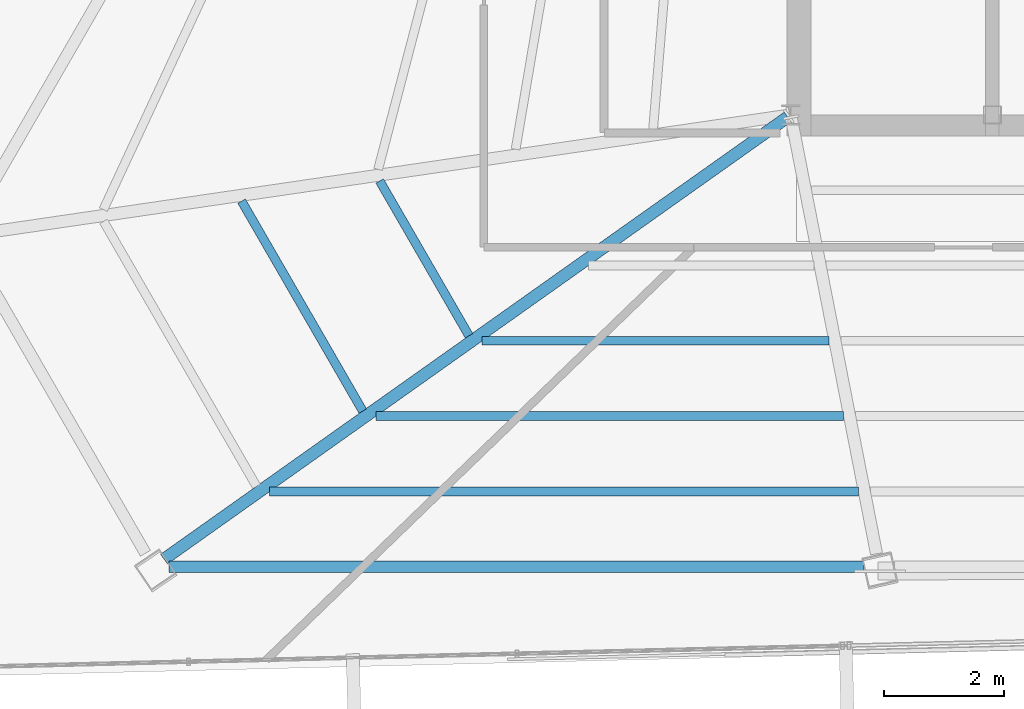
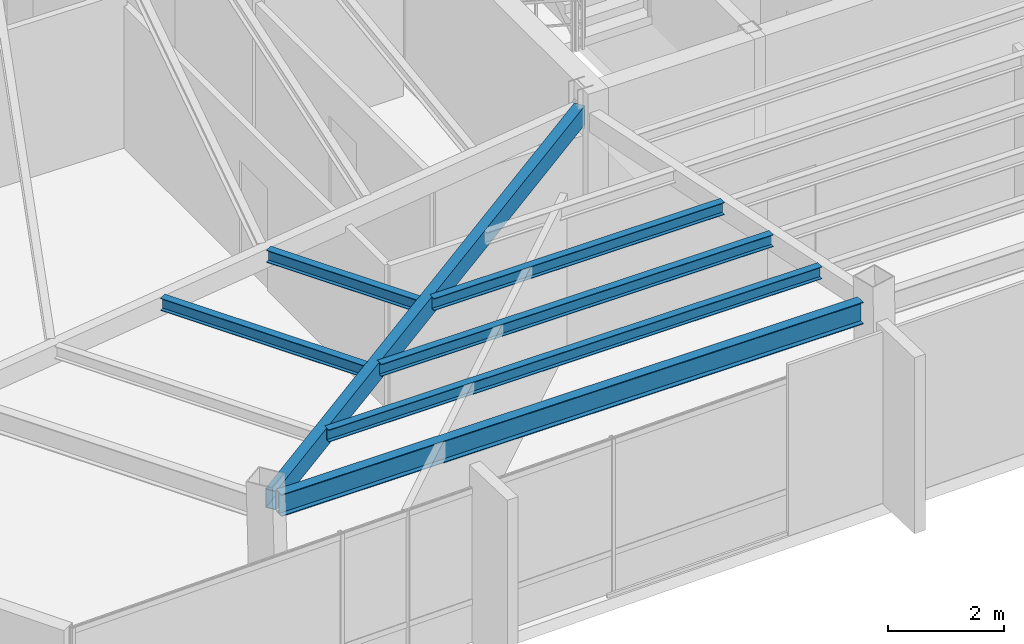
# One storey, part 6 of 44: 7 beams.
"""IFC4 building model written with IfcOpenShell, lengths in metres."""

from ifc_helpers import new_model, si_unit, direction, frame, origin, origin_2d, place, context, subcontext, project, spatial, hollow_rectangle, i_section, extrude, source, transform, mapped, material, material_profile, profile_set, type_object, type_shapes, element, save


model = new_model("IFC4")

# Units and contexts
model_context = context("Model", 3, precision=1e-05, world=origin(), true_north=direction((0.0, 1.0)))
body_context = subcontext(model_context, "Body", "Model", "MODEL_VIEW")
ifc_project = project(units=[si_unit("LENGTHUNIT", "METRE"), si_unit("AREAUNIT", "SQUARE_METRE"), si_unit("VOLUMEUNIT", "CUBIC_METRE"), si_unit("PLANEANGLEUNIT", "RADIAN"), si_unit("MASSUNIT", "GRAM", prefix="KILO")], contexts=[model_context])

# Site, building, storey
site_placement = place(None, origin())
site = spatial("IfcSite", under=ifc_project, at=site_placement, CompositionType="ELEMENT")
building_placement = place(site_placement, origin())
building = spatial("IfcBuilding", under=site, at=building_placement, Name="Caelisora Broadcast Tower", CompositionType="ELEMENT")
storey_placement = place(building_placement, frame((0.0, 0.0, 280.949951171875)))
storey = spatial("IfcBuildingStorey", under=building, at=storey_placement, Name="L74", CompositionType="ELEMENT", Elevation=280.949951171875)

# Beams
ifc_material_1 = material(Name="Steel Grade 350 (AS/NZS 3679.1)", Category="steel")
ifc_material_profile_1 = material_profile(ifc_material_1, i_section(OverallWidth=0.19091796875, OverallDepth=0.46044921875, WebThickness=0.010009765625, FlangeThickness=0.01611328125, at=origin_2d()), Name="Steel Grade 350 (AS/NZS 3679.1)")
ifc_profile_set_1 = profile_set([ifc_material_profile_1], Name="Steel Grade 350 (AS/NZS 3679.1)")
beam_type_1 = type_object("IfcBeamType", Name="PG06", PredefinedType="BEAM", material=ifc_profile_set_1)
shared_shape_1 = source(origin(), body_context, "Body", "SweptSolid", [
    extrude(i_section(OverallWidth=0.19091796875, OverallDepth=0.46044921875, WebThickness=0.010009765625, FlangeThickness=0.01611328125, at=origin_2d()), origin(), (0.0, 0.0, 1.0), 11.542236328125),
])
type_shapes(beam_type_1, [shared_shape_1])
beam_1_placement = place(storey_placement, frame((20.16650390625, 9.890380859375, 3.019775390625), z_axis=(1.0, 0.0, 0.0), x_axis=(0.0, 1.0, 0.0)))
element("IfcBeam", 1, at=beam_1_placement, inside=storey, type_object=beam_type_1, Name="L74 beam PG06", PredefinedType="BEAM", context=body_context, shape_type="MappedRepresentation", body=[
    mapped(shared_shape_1, transform((0.0, 0.0, 0.0), scale=1.0)),
])
ifc_material_2 = material(Name="Steel Grade 350 (AS/NZS 1163 C350L0)", Category="steel")
ifc_material_profile_2 = material_profile(ifc_material_2, hollow_rectangle(XDim=0.199951171875, YDim=0.39990234375, WallThickness=0.012451171875, at=origin_2d()), Name="Steel Grade 350 (AS/NZS 1163 C350L0)")
ifc_profile_set_2 = profile_set([ifc_material_profile_2], Name="Steel Grade 350 (AS/NZS 1163 C350L0)")
beam_type_2 = type_object("IfcBeamType", Name="PG07", PredefinedType="BEAM", material=ifc_profile_set_2)
shared_shape_2 = source(origin(), body_context, "Body", "SweptSolid", [
    extrude(hollow_rectangle(XDim=0.199951171875, YDim=0.39990234375, WallThickness=0.012451171875, at=origin_2d()), origin(), (0.0, 0.0, 1.0), 12.705322265625),
])
type_shapes(beam_type_2, [shared_shape_2])
beam_2_placement = place(storey_placement, frame((30.451171875, 17.365234375, 3.050048828125), z_axis=(-0.815815966936, -0.578311601208, 0.0), x_axis=(0.578311601208, -0.815815966936, 0.0)))
element("IfcBeam", 2, at=beam_2_placement, inside=storey, type_object=beam_type_2, Name="L74 beam PG07", PredefinedType="BEAM", context=body_context, shape_type="MappedRepresentation", body=[
    mapped(shared_shape_2, transform((0.0, 0.0, 0.0), scale=1.0)),
])
ifc_material_profile_3 = material_profile(ifc_material_1, i_section(OverallWidth=0.14599609375, OverallDepth=0.256103515625, WebThickness=0.00634765625, FlangeThickness=0.010986328125, at=origin_2d()), Name="Steel Grade 350 (AS/NZS 3679.1)")
ifc_profile_set_3 = profile_set([ifc_material_profile_3], Name="Steel Grade 350 (AS/NZS 3679.1)")
beam_type_3 = type_object("IfcBeamType", Name="SB04", PredefinedType="JOIST", material=ifc_profile_set_3)
shared_shape_3 = source(origin(), body_context, "Body", "SweptSolid", [
    extrude(i_section(OverallWidth=0.14599609375, OverallDepth=0.256103515625, WebThickness=0.00634765625, FlangeThickness=0.010986328125, at=origin_2d()), origin(), (0.0, 0.0, 1.0), 2.970458984375),
])
beam_3_placement = place(storey_placement, frame((23.669189453125, 16.302001953125, 3.1220703125), z_axis=(0.500028367561, -0.866009025146, 0.0), x_axis=(0.866009025146, 0.500028367561, 0.0)))
element("IfcBeam", 3, at=beam_3_placement, inside=storey, type_object=beam_type_3, Name="L74 beam SB04", PredefinedType="JOIST", context=body_context, shape_type="MappedRepresentation", body=[
    mapped(shared_shape_3, transform((0.0, 0.0, 0.0), scale=1.0)),
])
shared_shape_4 = source(origin(), body_context, "Body", "SweptSolid", [
    extrude(i_section(OverallWidth=0.14599609375, OverallDepth=0.256103515625, WebThickness=0.00634765625, FlangeThickness=0.010986328125, at=origin_2d()), origin(), (0.0, 0.0, 1.0), 4.02783203125),
])
beam_4_placement = place(storey_placement, frame((21.375, 15.96630859375, 3.1220703125), z_axis=(0.499991787927, -0.866030144975, 0.0), x_axis=(0.866030144975, 0.499991787927, 0.0)))
element("IfcBeam", 4, at=beam_4_placement, inside=storey, type_object=beam_type_3, Name="L74 beam SB04", PredefinedType="JOIST", context=body_context, shape_type="MappedRepresentation", body=[
    mapped(shared_shape_4, transform((0.0, 0.0, 0.0), scale=1.0)),
])
shared_shape_5 = source(origin(), body_context, "Body", "SweptSolid", [
    extrude(i_section(OverallWidth=0.14599609375, OverallDepth=0.256103515625, WebThickness=0.00634765625, FlangeThickness=0.010986328125, at=origin_2d()), origin(), (0.0, 0.0, 1.0), 5.762451171875),
])
beam_5_placement = place(storey_placement, frame((25.373046875, 13.645263671875, 3.1220703125), z_axis=(1.0, 0.0, 0.0), x_axis=(0.0, 1.0, 0.0)))
element("IfcBeam", 5, at=beam_5_placement, inside=storey, type_object=beam_type_3, Name="L74 beam SB04", PredefinedType="JOIST", context=body_context, shape_type="MappedRepresentation", body=[
    mapped(shared_shape_5, transform((0.0, 0.0, 0.0), scale=1.0)),
])
shared_shape_6 = source(origin(), body_context, "Body", "SweptSolid", [
    extrude(i_section(OverallWidth=0.14599609375, OverallDepth=0.256103515625, WebThickness=0.00634765625, FlangeThickness=0.010986328125, at=origin_2d()), origin(), (0.0, 0.0, 1.0), 7.77294921875),
])
beam_6_placement = place(storey_placement, frame((23.607421875, 12.393798828125, 3.1220703125), z_axis=(1.0, 0.0, 0.0), x_axis=(0.0, 1.0, 0.0)))
element("IfcBeam", 6, at=beam_6_placement, inside=storey, type_object=beam_type_3, Name="L74 beam SB04", PredefinedType="JOIST", context=body_context, shape_type="MappedRepresentation", body=[
    mapped(shared_shape_6, transform((0.0, 0.0, 0.0), scale=1.0)),
])
shared_shape_7 = source(origin(), body_context, "Body", "SweptSolid", [
    extrude(i_section(OverallWidth=0.14599609375, OverallDepth=0.256103515625, WebThickness=0.00634765625, FlangeThickness=0.010986328125, at=origin_2d()), origin(), (0.0, 0.0, 1.0), 9.783203125),
])
type_shapes(beam_type_3, [shared_shape_3, shared_shape_4, shared_shape_5, shared_shape_6, shared_shape_7])
beam_7_placement = place(storey_placement, frame((21.841796875, 11.14208984375, 3.1220703125), z_axis=(1.0, 0.0, 0.0), x_axis=(0.0, 1.0, 0.0)))
element("IfcBeam", 7, at=beam_7_placement, inside=storey, type_object=beam_type_3, Name="L74 beam SB04", PredefinedType="JOIST", context=body_context, shape_type="MappedRepresentation", body=[
    mapped(shared_shape_7, transform((0.0, 0.0, 0.0), scale=1.0)),
])

save(model, "model.ifc")
